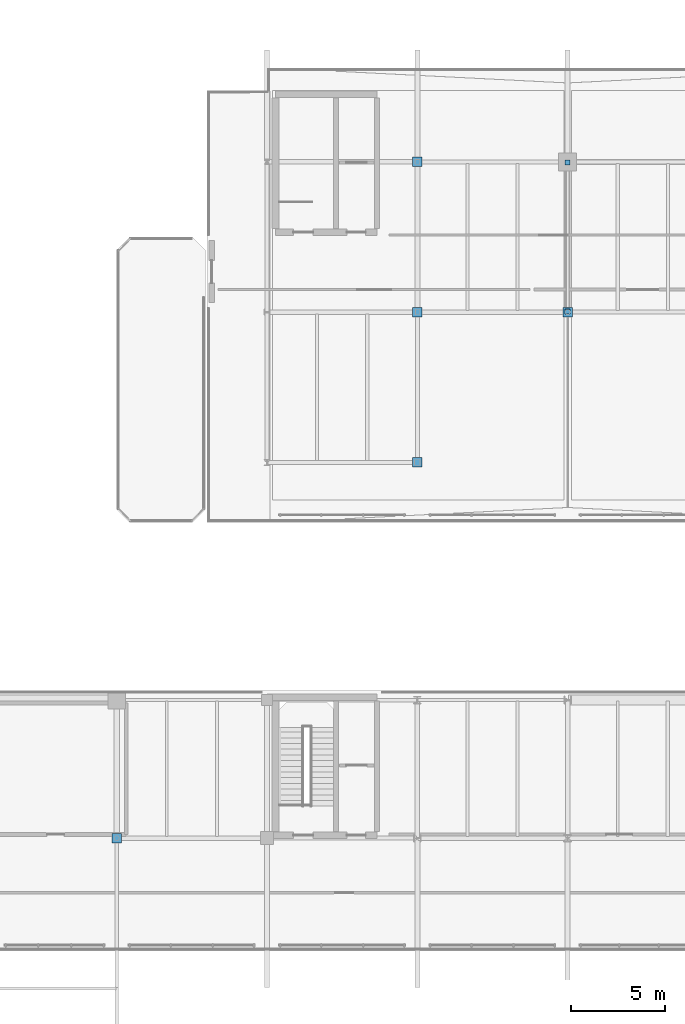
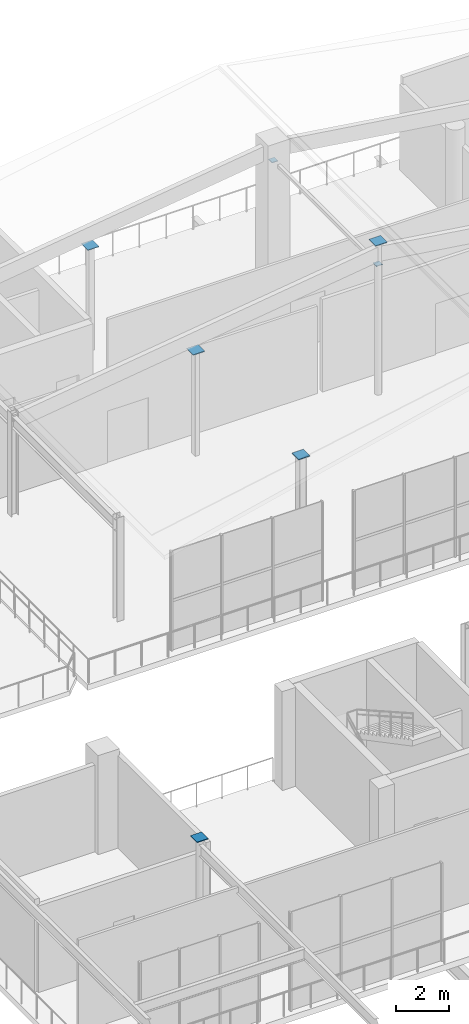
# One storey, part 56 of 70: 7 discrete accessories.
"""IFC4 building model written with IfcOpenShell, lengths in metres."""

from ifc_helpers import new_model, si_unit, direction, frame, origin, origin_2d, place, context, subcontext, project, spatial, rectangle, extrude, material, type_object, element, save


model = new_model("IFC4")

# Units and contexts
model_context = context("Model", 3, precision=1e-05, world=origin(), true_north=direction((0.0, 1.0)))
body_context = subcontext(model_context, "Body", "Model", "MODEL_VIEW")
ifc_project = project(units=[si_unit("LENGTHUNIT", "METRE"), si_unit("AREAUNIT", "SQUARE_METRE"), si_unit("VOLUMEUNIT", "CUBIC_METRE"), si_unit("PLANEANGLEUNIT", "RADIAN"), si_unit("MASSUNIT", "GRAM", prefix="KILO")], contexts=[model_context])

# Site, building, storey
site_placement = place(None, origin())
site = spatial("IfcSite", under=ifc_project, at=site_placement, CompositionType="ELEMENT")
building_placement = place(site_placement, origin())
building = spatial("IfcBuilding", under=site, at=building_placement, Name="Brisemont Oceanarium", CompositionType="ELEMENT")
storey_placement = place(building_placement, frame((0.0, 0.0, 10.199951171875)))
storey = spatial("IfcBuildingStorey", under=building, at=storey_placement, Name="L02", CompositionType="ELEMENT", Elevation=10.199951171875)

# Discrete accessories
ifc_material = material(Name="Structural Steel ASTM A572 Gr.50", Category="steel")
discrete_accessory_type = type_object("IfcDiscreteAccessoryType", Name="ACC-CAP-STL", PredefinedType="ANCHORPLATE", material=ifc_material)
for number, where, z_axis, x_axis, name in (
    (1, (16.0, 24.0, 4.7900390625), (0.0, 0.0, 1.0), (1.0, 0.0, 0.0), "V2 L02 hollow column welded end cap (1,2)"),
    (2, (32.0, 44.0, 4.7900390625), (0.0, 0.0, 1.0), (1.0, 0.0, 0.0), "V5W L02 hollow column welded end cap (2,1)"),
    (3, (32.0, 52.0, 4.7900390625), (0.0, 0.0, 1.0), (1.0, 0.0, 0.0), "V5W L02 hollow column welded end cap (2,2)"),
    (4, (32.0, 60.0, 4.7900390625), (0.0, 0.0, 1.0), (1.0, 0.0, 0.0), "V5W L02 hollow column welded end cap (2,3)"),
    (5, (40.0, 52.0, 7.0400390625), (0.0, 0.0, 1.0), (1.0, 0.0, 0.0), "V5W L02 hollow column welded end cap (3,2)"),
):
    element("IfcDiscreteAccessory", number, at=place(storey_placement, frame(where, z_axis=z_axis, x_axis=x_axis)), inside=storey, type_object=discrete_accessory_type, Name=name, PredefinedType="ANCHORPLATE", context=body_context, shape_type="SweptSolid", body=[
        extrude(rectangle(XDim=0.5, YDim=0.5, at=origin_2d()), origin(), (0.0, 0.0, 1.0), 0.030029296875),
    ])
for number, where, z_axis, x_axis, name in (
    (6, (40.0, 52.0400390625, 5.955078125), (0.0, 0.0, 1.0), (1.0, 0.0, 0.0), "V5W purlin 1 welded end cap 1"),
    (7, (40.0, 59.9599609375, 5.955078125), (0.0, 0.0, 1.0), (1.0, 0.0, 0.0), "V5W purlin 1 welded end cap 2"),
):
    element("IfcDiscreteAccessory", number, at=place(storey_placement, frame(where, z_axis=z_axis, x_axis=x_axis)), inside=storey, type_object=discrete_accessory_type, Name=name, PredefinedType="ANCHORPLATE", context=body_context, shape_type="SweptSolid", body=[
        extrude(rectangle(XDim=0.260009765625, YDim=0.260009765625, at=origin_2d()), origin(), (0.0, 0.0, 1.0), 0.030029296875),
    ])

save(model, "model.ifc")
